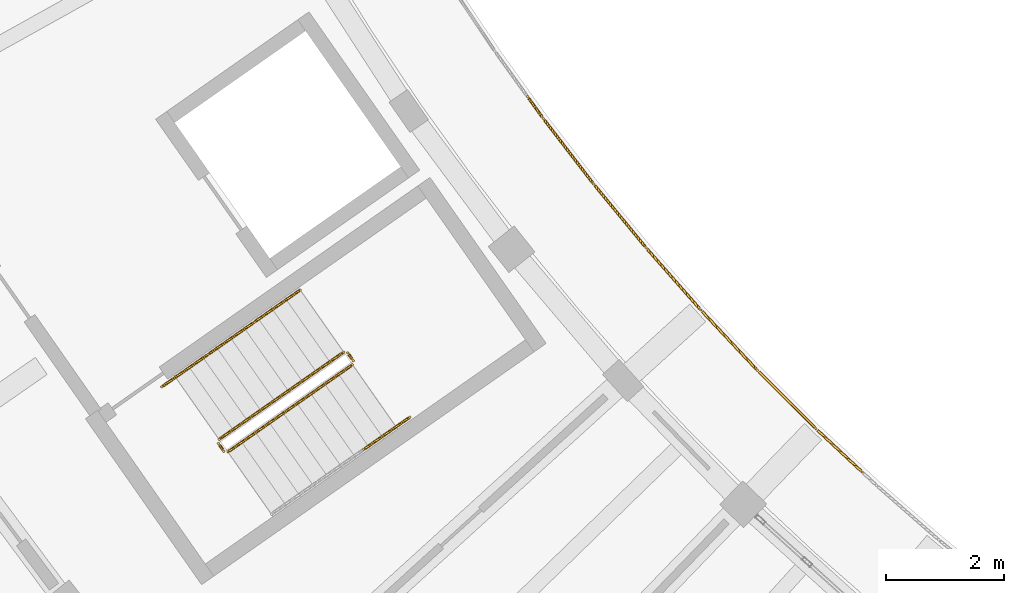
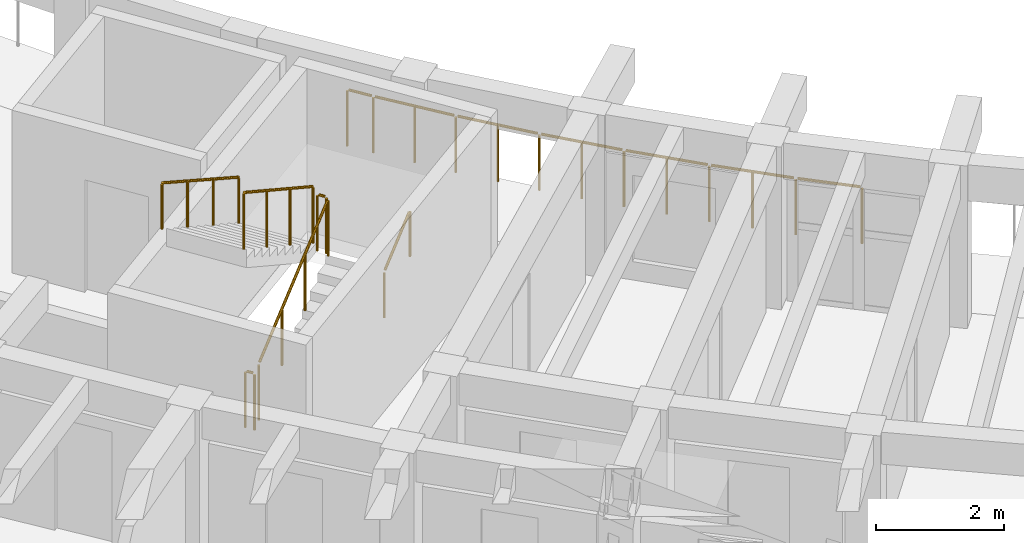
# One storey, part 66 of 81: 9 railings.
"""IFC4 building model written with IfcOpenShell, lengths in metres."""

from ifc_helpers import new_model, si_unit, direction, frame, origin, origin_2d, place, context, subcontext, project, spatial, circle, extrude, material, type_object, element, save


model = new_model("IFC4")

# Units and contexts
model_context = context("Model", 3, precision=1e-05, world=origin(), true_north=direction((0.0, 1.0)))
body_context = subcontext(model_context, "Body", "Model", "MODEL_VIEW")
ifc_project = project(units=[si_unit("LENGTHUNIT", "METRE"), si_unit("AREAUNIT", "SQUARE_METRE"), si_unit("VOLUMEUNIT", "CUBIC_METRE"), si_unit("PLANEANGLEUNIT", "RADIAN"), si_unit("MASSUNIT", "GRAM", prefix="KILO")], contexts=[model_context])

# Site, building, storey
site_placement = place(None, origin())
site = spatial("IfcSite", under=ifc_project, at=site_placement, CompositionType="ELEMENT")
building_placement = place(site_placement, origin())
building = spatial("IfcBuilding", under=site, at=building_placement, Name="Tanwirah Colonnade Gardens", CompositionType="ELEMENT")
storey_placement = place(building_placement, frame((0.0, 0.0, 8.840087890625)))
storey = spatial("IfcBuildingStorey", under=building, at=storey_placement, Name="L02", CompositionType="ELEMENT", Elevation=8.840087890625)

# Railings
ifc_material_1 = material(Name="Precast concrete C40/50", Category="concrete")
railing_type_1 = type_object("IfcRailingType", Name="BAL-EXT110", PredefinedType="BALUSTRADE", material=ifc_material_1)
railing_1_placement = place(storey_placement, frame((30.484375, 39.403564453125, 0.0)))
element("IfcRailing", 1, at=railing_1_placement, inside=storey, type_object=railing_type_1, Name="Block C L02 Balcony Ribbon Balustrade 3", PredefinedType="BALUSTRADE", context=body_context, shape_type="SweptSolid", body=[
    extrude(circle(Radius=0.02392578125, at=origin_2d()), frame((0.018310546875, -0.025390625, 1.076171875), z_axis=(0.583501451955, -0.812112095444, 0.0), x_axis=(0.812112095444, 0.583501451955, 0.0)), (0.0, 0.0, 1.0), 0.385986328125),
    extrude(circle(Radius=0.02392578125, at=origin_2d()), frame((0.2822265625, -0.391357421875, 1.076171875), z_axis=(0.609651512095, -0.792669561546, 0.0), x_axis=(0.792669561546, 0.609651512095, 0.0)), (0.0, 0.0, 1.0), 1.33154296875),
    extrude(circle(Radius=0.02392578125, at=origin_2d()), frame((1.134521484375, -1.49755859375, 1.076171875), z_axis=(0.635209885743, -0.77233956331, 0.0), x_axis=(0.77233956331, 0.635209885743, 0.0)), (0.0, 0.0, 1.0), 1.33154296875),
    extrude(circle(Radius=0.02392578125, at=origin_2d()), frame((2.022705078125, -2.57568359375, 1.076171875), z_axis=(0.660288280901, -0.751012240982, 0.0), x_axis=(0.751012240982, 0.660288280901, 0.0)), (0.0, 0.0, 1.0), 1.33154296875),
    extrude(circle(Radius=0.02392578125, at=origin_2d()), frame((2.945556640625, -3.623779296875, 1.076171875), z_axis=(0.684424509294, -0.729083733928, 0.0), x_axis=(0.729083733928, 0.684424509294, 0.0)), (0.0, 0.0, 1.0), 1.33154296875),
    extrude(circle(Radius=0.02392578125, at=origin_2d()), frame((3.902099609375, -4.641357421875, 1.076171875), z_axis=(0.707894448134, -0.706318235855, 0.0), x_axis=(0.706318235855, 0.707894448134, 0.0)), (0.0, 0.0, 1.0), 1.33154296875),
    extrude(circle(Radius=0.02392578125, at=origin_2d()), frame((4.8916015625, -5.627197265625, 1.076171875), z_axis=(0.730536879767, -0.682873243948, 0.0), x_axis=(0.682873243948, 0.730536879767, 0.0)), (0.0, 0.0, 1.0), 1.0029296875),
    extrude(circle(Radius=0.02099609375, at=origin_2d()), origin(), (0.0, 0.0, 1.0), 1.049072265625),
    extrude(circle(Radius=0.02099609375, at=origin_2d()), frame((0.26171875, -0.3642578125, 0.0)), (0.0, 0.0, 1.0), 1.049072265625),
    extrude(circle(Radius=0.02099609375, at=origin_2d()), frame((0.68798828125, -0.9189453125, 0.0)), (0.0, 0.0, 1.0), 1.049072265625),
    extrude(circle(Radius=0.02099609375, at=origin_2d()), frame((1.113037109375, -1.471435546875, 0.0)), (0.0, 0.0, 1.0), 1.049072265625),
    extrude(circle(Radius=0.02099609375, at=origin_2d()), frame((1.5576171875, -2.01171875, 0.0)), (0.0, 0.0, 1.0), 1.049072265625),
    extrude(circle(Radius=0.02099609375, at=origin_2d()), frame((2.000244140625, -2.550048828125, 0.0)), (0.0, 0.0, 1.0), 1.049072265625),
    extrude(circle(Radius=0.02099609375, at=origin_2d()), frame((2.462158203125, -3.07568359375, 0.0)), (0.0, 0.0, 1.0), 1.049072265625),
    extrude(circle(Radius=0.02099609375, at=origin_2d()), frame((2.92236328125, -3.59912109375, 0.0)), (0.0, 0.0, 1.0), 1.049072265625),
    extrude(circle(Radius=0.02099609375, at=origin_2d()), frame((3.401123046875, -4.109375, 0.0)), (0.0, 0.0, 1.0), 1.049072265625),
    extrude(circle(Radius=0.02099609375, at=origin_2d()), frame((3.878173828125, -4.617431640625, 0.0)), (0.0, 0.0, 1.0), 1.049072265625),
    extrude(circle(Radius=0.02099609375, at=origin_2d()), frame((4.373291015625, -5.11181640625, 0.0)), (0.0, 0.0, 1.0), 1.049072265625),
    extrude(circle(Radius=0.02099609375, at=origin_2d()), frame((4.86669921875, -5.60400390625, 0.0)), (0.0, 0.0, 1.0), 1.049072265625),
    extrude(circle(Radius=0.02099609375, at=origin_2d()), frame((5.64697265625, -6.33349609375, 0.0)), (0.0, 0.0, 1.0), 1.049072265625),
])
ifc_material_2 = material(Name="Powder-coated galvanized steel", Category="steel")
railing_type_2 = type_object("IfcRailingType", Name="GRD-ST110", PredefinedType="GUARDRAIL", material=ifc_material_2)
railing_2_placement = place(storey_placement, frame((25.426513671875, 33.40869140625, 0.16796875)))
element("IfcRailing", 2, at=railing_2_placement, inside=storey, type_object=railing_type_2, Name="L02 ST-C1 stair guard 1", PredefinedType="GUARDRAIL", context=body_context, shape_type="SweptSolid", body=[
    extrude(circle(Radius=0.02392578125, at=origin_2d()), frame((0.02197265625, 0.015380859375, 1.092041015625), z_axis=(0.705672637115, 0.494118441931, 0.507812066193), x_axis=(-0.573577325805, 0.819151421486, 0.0)), (0.0, 0.0, 1.0), 2.914794921875),
    extrude(circle(Radius=0.02099609375, at=origin_2d()), origin(), (0.0, 0.0, 1.0), 1.049072265625),
    extrude(circle(Radius=0.02099609375, at=origin_2d()), frame((0.700439453125, 0.490478515625, 0.50390625)), (0.0, 0.0, 1.0), 1.049072265625),
    extrude(circle(Radius=0.02099609375, at=origin_2d()), frame((1.400634765625, 0.980712890625, 1.008056640625)), (0.0, 0.0, 1.0), 1.049072265625),
    extrude(circle(Radius=0.02099609375, at=origin_2d()), frame((2.10107421875, 1.47119140625, 1.511962890625)), (0.0, 0.0, 1.0), 1.049072265625),
])
railing_3_placement = place(storey_placement, frame((27.539794921875, 34.94970703125, 1.679931640625)))
element("IfcRailing", 3, at=railing_3_placement, inside=storey, type_object=railing_type_2, Name="L02 ST-C1 stair guard 2", PredefinedType="GUARDRAIL", context=body_context, shape_type="SweptSolid", body=[
    extrude(circle(Radius=0.02392578125, at=origin_2d()), frame((-0.01806640625, 0.025634765625, 1.076171875), z_axis=(-0.57428210862, 0.81865747399, 0.0), x_axis=(-0.81865747399, -0.57428210862, 0.0)), (0.0, 0.0, 1.0), 0.097412109375),
    extrude(circle(Radius=0.02099609375, at=origin_2d()), origin(), (0.0, 0.0, 1.0), 1.049072265625),
    extrude(circle(Radius=0.02099609375, at=origin_2d()), frame((-0.091796875, 0.130859375, 0.0)), (0.0, 0.0, 1.0), 1.049072265625),
])
railing_4_placement = place(storey_placement, frame((27.37841796875, 35.093017578125, 1.847900390625)))
element("IfcRailing", 4, at=railing_4_placement, inside=storey, type_object=railing_type_2, Name="L02 ST-C1 stair guard 3", PredefinedType="GUARDRAIL", context=body_context, shape_type="SweptSolid", body=[
    extrude(circle(Radius=0.02392578125, at=origin_2d()), frame((-0.02197265625, -0.015380859375, 1.092041015625), z_axis=(-0.705672637115, -0.494118441931, 0.507812066193), x_axis=(0.573577325805, -0.819151421486, 0.0)), (0.0, 0.0, 1.0), 2.914794921875),
    extrude(circle(Radius=0.02099609375, at=origin_2d()), origin(), (0.0, 0.0, 1.0), 1.049072265625),
    extrude(circle(Radius=0.02099609375, at=origin_2d()), frame((-0.700439453125, -0.490478515625, 0.50390625)), (0.0, 0.0, 1.0), 1.049072265625),
    extrude(circle(Radius=0.02099609375, at=origin_2d()), frame((-1.400634765625, -0.980712890625, 1.008056640625)), (0.0, 0.0, 1.0), 1.049072265625),
    extrude(circle(Radius=0.02099609375, at=origin_2d()), frame((-2.10107421875, -1.47119140625, 1.511962890625)), (0.0, 0.0, 1.0), 1.049072265625),
])
railing_5_placement = place(storey_placement, frame((25.356689453125, 33.4208984375, 0.0)))
element("IfcRailing", 5, at=railing_5_placement, inside=storey, type_object=railing_type_2, Name="L02 ST-C1 stair guard 4", PredefinedType="GUARDRAIL", context=body_context, shape_type="SweptSolid", body=[
    extrude(circle(Radius=0.02392578125, at=origin_2d()), frame((-0.017822265625, 0.025634765625, 1.076171875), z_axis=(-0.57356471828, 0.819160249246, 0.0), x_axis=(-0.819160249246, -0.57356471828, 0.0)), (0.0, 0.0, 1.0), 0.097412109375),
    extrude(circle(Radius=0.02099609375, at=origin_2d()), origin(), (0.0, 0.0, 1.0), 1.049072265625),
    extrude(circle(Radius=0.02099609375, at=origin_2d()), frame((-0.091796875, 0.131103515625, 0.0)), (0.0, 0.0, 1.0), 1.049072265625),
])
ifc_material_3 = material(Name="Brushed bronze stainless steel", Category="steel")
railing_type_3 = type_object("IfcRailingType", Name="HR-ST090", PredefinedType="HANDRAIL", material=ifc_material_3)
railing_6_placement = place(storey_placement, frame((27.717041015625, 33.449951171875, 1.2998046875)))
element("IfcRailing", 6, at=railing_6_placement, inside=storey, type_object=railing_type_3, Name="L02 ST-C1 stair handrail 3", PredefinedType="HANDRAIL", context=body_context, shape_type="SweptSolid", body=[
    extrude(circle(Radius=0.02392578125, at=origin_2d()), frame((0.02197265625, 0.015380859375, 0.891845703125), z_axis=(0.703606519106, 0.492767414699, 0.511974746723), x_axis=(-0.57365206981, 0.819099079967, 0.0)), (0.0, 0.0, 1.0), 1.043212890625),
    extrude(circle(Radius=0.02099609375, at=origin_2d()), origin(), (0.0, 0.0, 1.0), 0.848876953125),
    extrude(circle(Radius=0.02099609375, at=origin_2d()), frame((0.778076171875, 0.544921875, 0.566162109375)), (0.0, 0.0, 1.0), 0.848876953125),
])
railing_7_placement = place(storey_placement, frame((26.644287109375, 36.141357421875, 1.847900390625)))
element("IfcRailing", 7, at=railing_7_placement, inside=storey, type_object=railing_type_3, Name="L02 ST-C1 stair handrail 4", PredefinedType="HANDRAIL", context=body_context, shape_type="SweptSolid", body=[
    extrude(circle(Radius=0.02392578125, at=origin_2d()), frame((-0.02197265625, -0.015380859375, 0.891845703125), z_axis=(-0.703797483594, -0.492746544348, 0.511732298297), x_axis=(0.573531324472, -0.819183630115, 0.0)), (0.0, 0.0, 1.0), 1.04345703125),
    extrude(circle(Radius=0.02099609375, at=origin_2d()), origin(), (0.0, 0.0, 1.0), 0.848876953125),
    extrude(circle(Radius=0.02099609375, at=origin_2d()), frame((-0.7783203125, -0.544921875, 0.56591796875)), (0.0, 0.0, 1.0), 0.848876953125),
])
railing_8_placement = place(storey_placement, frame((25.865966796875, 35.596435546875, 2.413818359375)))
element("IfcRailing", 8, at=railing_8_placement, inside=storey, type_object=railing_type_3, Name="L02 ST-C1 stair handrail 5", PredefinedType="HANDRAIL", context=body_context, shape_type="SweptSolid", body=[
    extrude(circle(Radius=0.02392578125, at=origin_2d()), frame((-0.02197265625, -0.015380859375, 0.891845703125), z_axis=(-0.70368305994, -0.492600221753, 0.512030441168), x_axis=(0.573479595945, -0.819219844141, 0.0)), (0.0, 0.0, 1.0), 1.043212890625),
    extrude(circle(Radius=0.02099609375, at=origin_2d()), origin(), (0.0, 0.0, 1.0), 0.848876953125),
    extrude(circle(Radius=0.02099609375, at=origin_2d()), frame((-0.778076171875, -0.544677734375, 0.566162109375)), (0.0, 0.0, 1.0), 0.848876953125),
])
railing_9_placement = place(storey_placement, frame((25.087890625, 35.0517578125, 2.97998046875)))
element("IfcRailing", 9, at=railing_9_placement, inside=storey, type_object=railing_type_3, Name="L02 ST-C1 stair handrail 6", PredefinedType="HANDRAIL", context=body_context, shape_type="SweptSolid", body=[
    extrude(circle(Radius=0.02392578125, at=origin_2d()), frame((-0.02197265625, -0.015380859375, 0.891845703125), z_axis=(-0.703797483594, -0.492746544348, 0.511732298297), x_axis=(0.573531324472, -0.819183630115, 0.0)), (0.0, 0.0, 1.0), 1.04345703125),
    extrude(circle(Radius=0.02099609375, at=origin_2d()), origin(), (0.0, 0.0, 1.0), 0.848876953125),
    extrude(circle(Radius=0.02099609375, at=origin_2d()), frame((-0.7783203125, -0.544921875, 0.56591796875)), (0.0, 0.0, 1.0), 0.848876953125),
])

save(model, "model.ifc")
